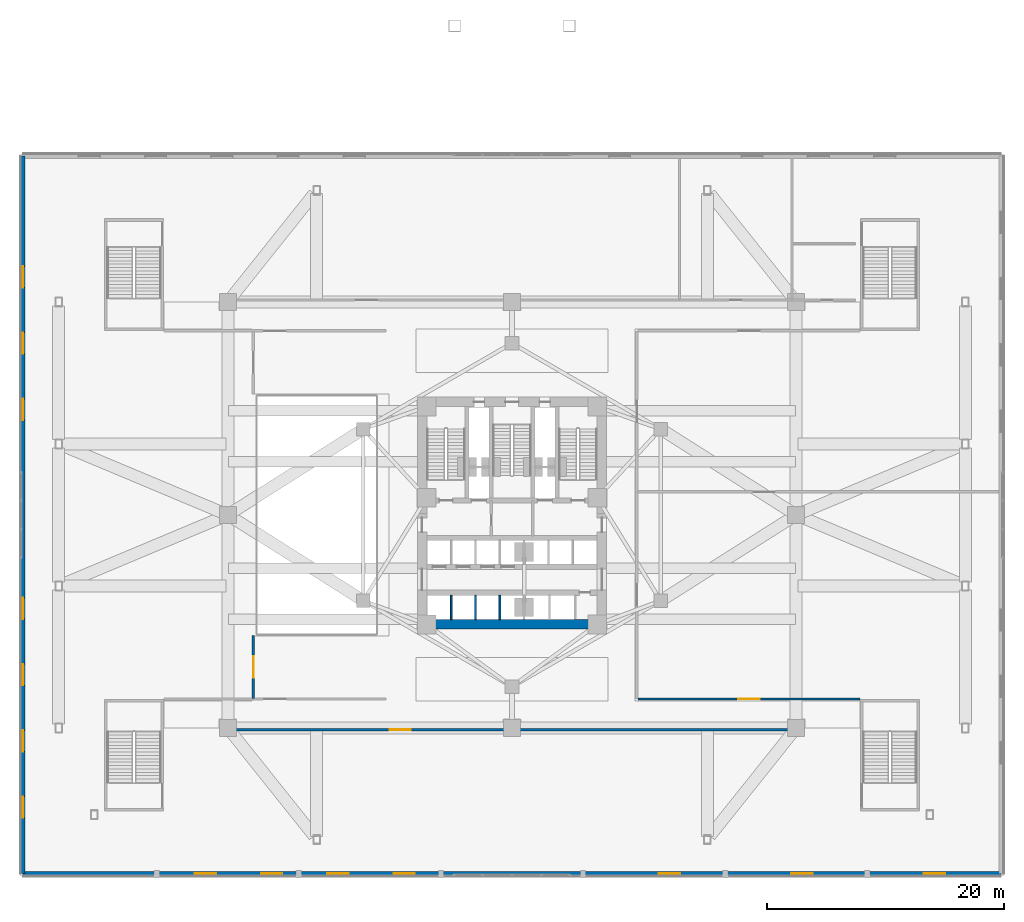
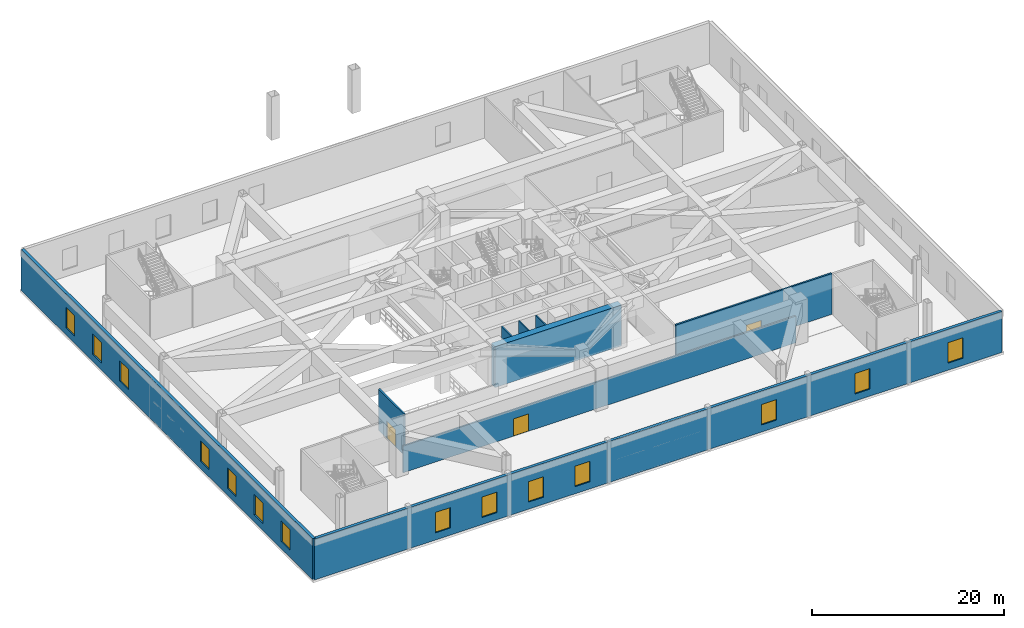
# One storey, part 10 of 23: 14 windows, 9 walls, 3 doors, 17 openings.
"""IFC4 building model written with IfcOpenShell, lengths in metres."""

from ifc_helpers import new_model, si_unit, direction, frame, frame_2d, origin, place, context, subcontext, project, spatial, rectangle, extrude, material, layer, layer_set, type_object, element, fill, save


model = new_model("IFC4")

# Units and contexts
model_context = context("Model", 3, precision=1e-05, world=origin(), true_north=direction((0.0, 1.0)))
body_context = subcontext(model_context, "Body", "Model", "MODEL_VIEW")
ifc_project = project(units=[si_unit("LENGTHUNIT", "METRE"), si_unit("AREAUNIT", "SQUARE_METRE"), si_unit("VOLUMEUNIT", "CUBIC_METRE"), si_unit("PLANEANGLEUNIT", "RADIAN"), si_unit("MASSUNIT", "GRAM", prefix="KILO")], contexts=[model_context])

# Site, building, storey
site_placement = place(None, origin())
site = spatial("IfcSite", under=ifc_project, at=site_placement, CompositionType="ELEMENT")
building_placement = place(site_placement, origin())
building = spatial("IfcBuilding", under=site, at=building_placement, Name="Apsidion Concourse Tower", CompositionType="ELEMENT")
storey_placement = place(building_placement, frame((0.0, 0.0, 6.0)))
storey = spatial("IfcBuildingStorey", under=building, at=storey_placement, Name="L01", CompositionType="ELEMENT", Elevation=6.0)

# Wall, openings, windows
ifc_material_1 = material(Name="Precast concrete C40/50", Category="concrete")
ifc_layer_1 = layer(ifc_material_1, 0.360107421875)
ifc_layer_set_1 = layer_set([ifc_layer_1], Name="Precast concrete C40/50")
wall_type_1 = type_object("IfcWallType", Name="WL-EXT-360", PredefinedType="STANDARD", material=ifc_layer_set_1)
wall_1_placement = place(storey_placement, frame((41.300048828125, -30.300048828125, 0.0), z_axis=(0.0, 0.0, 1.0), x_axis=(-1.0, 0.0, 0.0)))
wall_1 = element("IfcWall", 1, at=wall_1_placement, inside=storey, type_object=wall_type_1, Name="L01 Podium Precast Stone Facade Wall S", PredefinedType="STANDARD", context=body_context, shape_type="SweptSolid", body=[
    extrude(rectangle(XDim=82.60009765625, YDim=0.360107421875, at=frame_2d((41.300048828125, 0.0))), origin(), (0.0, 0.0, 1.0), 5.199951171875),
])
opening_1_placement = place(wall_1_placement, frame((4.699951171875, 0.0, 0.89990234375)))
opening_1 = element("IfcOpeningElement", 2, at=opening_1_placement, cuts=wall_1, Name="Opening WN-01", PredefinedType="OPENING", context=body_context, shape_type="SweptSolid", body=[
    extrude(rectangle(XDim=1.800048828125, YDim=2.60009765625, at=frame_2d((0.89990234375, 1.300048828125))), frame((0.0, 0.18994140625, 0.0), z_axis=(0.0, -1.0, 0.0), x_axis=(1.0, 0.0, 0.0)), (0.0, 0.0, 1.0), 0.380126953125),
])
opening_2_placement = place(wall_1_placement, frame((15.89990234375, 0.0, 0.89990234375)))
opening_2 = element("IfcOpeningElement", 3, at=opening_2_placement, cuts=wall_1, Name="Opening WN-01", PredefinedType="OPENING", context=body_context, shape_type="SweptSolid", body=[
    extrude(rectangle(XDim=1.800048828125, YDim=2.60009765625, at=frame_2d((0.89990234375, 1.300048828125))), frame((0.0, 0.18994140625, 0.0), z_axis=(0.0, -1.0, 0.0), x_axis=(1.0, 0.0, 0.0)), (0.0, 0.0, 1.0), 0.380126953125),
])
opening_3_placement = place(wall_1_placement, frame((27.10009765625, 0.0, 0.89990234375)))
opening_3 = element("IfcOpeningElement", 4, at=opening_3_placement, cuts=wall_1, Name="Opening WN-01", PredefinedType="OPENING", context=body_context, shape_type="SweptSolid", body=[
    extrude(rectangle(XDim=1.800048828125, YDim=2.60009765625, at=frame_2d((0.89990234375, 1.300048828125))), frame((0.0, 0.18994140625, 0.0), z_axis=(0.0, -1.0, 0.0), x_axis=(1.0, 0.0, 0.0)), (0.0, 0.0, 1.0), 0.380126953125),
])
opening_4_placement = place(wall_1_placement, frame((49.5, 0.0, 0.89990234375)))
opening_4 = element("IfcOpeningElement", 5, at=opening_4_placement, cuts=wall_1, Name="Opening WN-01", PredefinedType="OPENING", context=body_context, shape_type="SweptSolid", body=[
    extrude(rectangle(XDim=1.800048828125, YDim=2.60009765625, at=frame_2d((0.89990234375, 1.300048828125))), frame((0.0, 0.18994140625, 0.0), z_axis=(0.0, -1.0, 0.0), x_axis=(1.0, 0.0, 0.0)), (0.0, 0.0, 1.0), 0.380126953125),
])
opening_5_placement = place(wall_1_placement, frame((55.10009765625, 0.0, 0.89990234375)))
opening_5 = element("IfcOpeningElement", 6, at=opening_5_placement, cuts=wall_1, Name="Opening WN-01", PredefinedType="OPENING", context=body_context, shape_type="SweptSolid", body=[
    extrude(rectangle(XDim=1.800048828125, YDim=2.60009765625, at=frame_2d((0.89990234375, 1.300048828125))), frame((0.0, 0.18994140625, 0.0), z_axis=(0.0, -1.0, 0.0), x_axis=(1.0, 0.0, 0.0)), (0.0, 0.0, 1.0), 0.380126953125),
])
opening_6_placement = place(wall_1_placement, frame((60.699951171875, 0.0, 0.89990234375)))
opening_6 = element("IfcOpeningElement", 7, at=opening_6_placement, cuts=wall_1, Name="Opening WN-01", PredefinedType="OPENING", context=body_context, shape_type="SweptSolid", body=[
    extrude(rectangle(XDim=1.800048828125, YDim=2.60009765625, at=frame_2d((0.89990234375, 1.300048828125))), frame((0.0, 0.18994140625, 0.0), z_axis=(0.0, -1.0, 0.0), x_axis=(1.0, 0.0, 0.0)), (0.0, 0.0, 1.0), 0.380126953125),
])
opening_7_placement = place(wall_1_placement, frame((66.300048828125, 0.0, 0.89990234375)))
opening_7 = element("IfcOpeningElement", 8, at=opening_7_placement, cuts=wall_1, Name="Opening WN-01", PredefinedType="OPENING", context=body_context, shape_type="SweptSolid", body=[
    extrude(rectangle(XDim=1.800048828125, YDim=2.60009765625, at=frame_2d((0.89990234375, 1.300048828125))), frame((0.0, 0.18994140625, 0.0), z_axis=(0.0, -1.0, 0.0), x_axis=(1.0, 0.0, 0.0)), (0.0, 0.0, 1.0), 0.380126953125),
])
ifc_material_2 = material(Name="Insulated laminated low-E glass", Category="glass")
window_type = type_object("IfcWindowType", Name="WN-POD-1828", PartitioningType="DOUBLE_PANEL_VERTICAL", PredefinedType="WINDOW", material=ifc_material_2)
window_1_placement = place(opening_1_placement, origin())
window_1 = element("IfcWindow", 9, at=window_1_placement, inside=storey, type_object=window_type, Name="L01 Podium Window S-01", OverallHeight=2.60009765625, OverallWidth=1.800048828125, PartitioningType="DOUBLE_PANEL_VERTICAL", PredefinedType="WINDOW", context=body_context, shape_type="SweptSolid", body=[
    extrude(rectangle(XDim=1.800048828125, YDim=2.60009765625, at=frame_2d((0.89990234375, 1.300048828125))), frame((0.0, 0.030029296875, 0.0), z_axis=(0.0, -1.0, 0.0), x_axis=(1.0, 0.0, 0.0)), (0.0, 0.0, 1.0), 0.06005859375),
])
fill(opening_1, window_1)
window_2_placement = place(opening_2_placement, origin())
window_2 = element("IfcWindow", 10, at=window_2_placement, inside=storey, type_object=window_type, Name="L01 Podium Window S-03", OverallHeight=2.60009765625, OverallWidth=1.800048828125, PartitioningType="DOUBLE_PANEL_VERTICAL", PredefinedType="WINDOW", context=body_context, shape_type="SweptSolid", body=[
    extrude(rectangle(XDim=1.800048828125, YDim=2.60009765625, at=frame_2d((0.89990234375, 1.300048828125))), frame((0.0, 0.030029296875, 0.0), z_axis=(0.0, -1.0, 0.0), x_axis=(1.0, 0.0, 0.0)), (0.0, 0.0, 1.0), 0.06005859375),
])
fill(opening_2, window_2)
window_3_placement = place(opening_3_placement, origin())
window_3 = element("IfcWindow", 11, at=window_3_placement, inside=storey, type_object=window_type, Name="L01 Podium Window S-05", OverallHeight=2.60009765625, OverallWidth=1.800048828125, PartitioningType="DOUBLE_PANEL_VERTICAL", PredefinedType="WINDOW", context=body_context, shape_type="SweptSolid", body=[
    extrude(rectangle(XDim=1.800048828125, YDim=2.60009765625, at=frame_2d((0.89990234375, 1.300048828125))), frame((0.0, 0.030029296875, 0.0), z_axis=(0.0, -1.0, 0.0), x_axis=(1.0, 0.0, 0.0)), (0.0, 0.0, 1.0), 0.06005859375),
])
fill(opening_3, window_3)
window_4_placement = place(opening_4_placement, origin())
window_4 = element("IfcWindow", 12, at=window_4_placement, inside=storey, type_object=window_type, Name="L01 Podium Window S-09", OverallHeight=2.60009765625, OverallWidth=1.800048828125, PartitioningType="DOUBLE_PANEL_VERTICAL", PredefinedType="WINDOW", context=body_context, shape_type="SweptSolid", body=[
    extrude(rectangle(XDim=1.800048828125, YDim=2.60009765625, at=frame_2d((0.89990234375, 1.300048828125))), frame((0.0, 0.030029296875, 0.0), z_axis=(0.0, -1.0, 0.0), x_axis=(1.0, 0.0, 0.0)), (0.0, 0.0, 1.0), 0.06005859375),
])
fill(opening_4, window_4)
window_5_placement = place(opening_5_placement, origin())
window_5 = element("IfcWindow", 13, at=window_5_placement, inside=storey, type_object=window_type, Name="L01 Podium Window S-10", OverallHeight=2.60009765625, OverallWidth=1.800048828125, PartitioningType="DOUBLE_PANEL_VERTICAL", PredefinedType="WINDOW", context=body_context, shape_type="SweptSolid", body=[
    extrude(rectangle(XDim=1.800048828125, YDim=2.60009765625, at=frame_2d((0.89990234375, 1.300048828125))), frame((0.0, 0.030029296875, 0.0), z_axis=(0.0, -1.0, 0.0), x_axis=(1.0, 0.0, 0.0)), (0.0, 0.0, 1.0), 0.06005859375),
])
fill(opening_5, window_5)
window_6_placement = place(opening_6_placement, origin())
window_6 = element("IfcWindow", 14, at=window_6_placement, inside=storey, type_object=window_type, Name="L01 Podium Window S-11", OverallHeight=2.60009765625, OverallWidth=1.800048828125, PartitioningType="DOUBLE_PANEL_VERTICAL", PredefinedType="WINDOW", context=body_context, shape_type="SweptSolid", body=[
    extrude(rectangle(XDim=1.800048828125, YDim=2.60009765625, at=frame_2d((0.89990234375, 1.300048828125))), frame((0.0, 0.030029296875, 0.0), z_axis=(0.0, -1.0, 0.0), x_axis=(1.0, 0.0, 0.0)), (0.0, 0.0, 1.0), 0.06005859375),
])
fill(opening_6, window_6)
window_7_placement = place(opening_7_placement, origin())
window_7 = element("IfcWindow", 15, at=window_7_placement, inside=storey, type_object=window_type, Name="L01 Podium Window S-12", OverallHeight=2.60009765625, OverallWidth=1.800048828125, PartitioningType="DOUBLE_PANEL_VERTICAL", PredefinedType="WINDOW", context=body_context, shape_type="SweptSolid", body=[
    extrude(rectangle(XDim=1.800048828125, YDim=2.60009765625, at=frame_2d((0.89990234375, 1.300048828125))), frame((0.0, 0.030029296875, 0.0), z_axis=(0.0, -1.0, 0.0), x_axis=(1.0, 0.0, 0.0)), (0.0, 0.0, 1.0), 0.06005859375),
])
fill(opening_7, window_7)

wall_2_placement = place(storey_placement, frame((-41.300048828125, -30.300048828125, 0.0), z_axis=(0.0, 0.0, 1.0), x_axis=(0.0, 1.0, 0.0)))
wall_2 = element("IfcWall", 16, at=wall_2_placement, inside=storey, type_object=wall_type_1, Name="L01 Podium Precast Stone Facade Wall W", PredefinedType="STANDARD", context=body_context, shape_type="SweptSolid", body=[
    extrude(rectangle(XDim=60.60009765625, YDim=0.360107421875, at=frame_2d((30.300048828125, 0.0))), origin(), (0.0, 0.0, 1.0), 5.199951171875),
])
opening_8_placement = place(wall_2_placement, frame((4.699951171875, 0.0, 0.89990234375)))
opening_8 = element("IfcOpeningElement", 17, at=opening_8_placement, cuts=wall_2, Name="Opening WN-01", PredefinedType="OPENING", context=body_context, shape_type="SweptSolid", body=[
    extrude(rectangle(XDim=1.800048828125, YDim=2.60009765625, at=frame_2d((0.89990234375, 1.300048828125))), frame((0.0, 0.18994140625, 0.0), z_axis=(0.0, -1.0, 0.0), x_axis=(1.0, 0.0, 0.0)), (0.0, 0.0, 1.0), 0.380126953125),
])
opening_9_placement = place(wall_2_placement, frame((10.300048828125, 0.0, 0.89990234375)))
opening_9 = element("IfcOpeningElement", 18, at=opening_9_placement, cuts=wall_2, Name="Opening WN-01", PredefinedType="OPENING", context=body_context, shape_type="SweptSolid", body=[
    extrude(rectangle(XDim=1.800048828125, YDim=2.60009765625, at=frame_2d((0.89990234375, 1.300048828125))), frame((0.0, 0.18994140625, 0.0), z_axis=(0.0, -1.0, 0.0), x_axis=(1.0, 0.0, 0.0)), (0.0, 0.0, 1.0), 0.380126953125),
])
opening_10_placement = place(wall_2_placement, frame((15.89990234375, 0.0, 0.89990234375)))
opening_10 = element("IfcOpeningElement", 19, at=opening_10_placement, cuts=wall_2, Name="Opening WN-01", PredefinedType="OPENING", context=body_context, shape_type="SweptSolid", body=[
    extrude(rectangle(XDim=1.800048828125, YDim=2.60009765625, at=frame_2d((0.89990234375, 1.300048828125))), frame((0.0, 0.18994140625, 0.0), z_axis=(0.0, -1.0, 0.0), x_axis=(1.0, 0.0, 0.0)), (0.0, 0.0, 1.0), 0.380126953125),
])
opening_11_placement = place(wall_2_placement, frame((21.5, 0.0, 0.89990234375)))
opening_11 = element("IfcOpeningElement", 20, at=opening_11_placement, cuts=wall_2, Name="Opening WN-01", PredefinedType="OPENING", context=body_context, shape_type="SweptSolid", body=[
    extrude(rectangle(XDim=1.800048828125, YDim=2.60009765625, at=frame_2d((0.89990234375, 1.300048828125))), frame((0.0, 0.18994140625, 0.0), z_axis=(0.0, -1.0, 0.0), x_axis=(1.0, 0.0, 0.0)), (0.0, 0.0, 1.0), 0.380126953125),
])
opening_12_placement = place(wall_2_placement, frame((38.300048828125, 0.0, 0.89990234375)))
opening_12 = element("IfcOpeningElement", 21, at=opening_12_placement, cuts=wall_2, Name="Opening WN-01", PredefinedType="OPENING", context=body_context, shape_type="SweptSolid", body=[
    extrude(rectangle(XDim=1.800048828125, YDim=2.60009765625, at=frame_2d((0.89990234375, 1.300048828125))), frame((0.0, 0.18994140625, 0.0), z_axis=(0.0, -1.0, 0.0), x_axis=(1.0, 0.0, 0.0)), (0.0, 0.0, 1.0), 0.380126953125),
])
opening_13_placement = place(wall_2_placement, frame((43.89990234375, 0.0, 0.89990234375)))
opening_13 = element("IfcOpeningElement", 22, at=opening_13_placement, cuts=wall_2, Name="Opening WN-01", PredefinedType="OPENING", context=body_context, shape_type="SweptSolid", body=[
    extrude(rectangle(XDim=1.800048828125, YDim=2.60009765625, at=frame_2d((0.89990234375, 1.300048828125))), frame((0.0, 0.18994140625, 0.0), z_axis=(0.0, -1.0, 0.0), x_axis=(1.0, 0.0, 0.0)), (0.0, 0.0, 1.0), 0.380126953125),
])
opening_14_placement = place(wall_2_placement, frame((49.5, 0.0, 0.89990234375)))
opening_14 = element("IfcOpeningElement", 23, at=opening_14_placement, cuts=wall_2, Name="Opening WN-01", PredefinedType="OPENING", context=body_context, shape_type="SweptSolid", body=[
    extrude(rectangle(XDim=1.800048828125, YDim=2.60009765625, at=frame_2d((0.89990234375, 1.300048828125))), frame((0.0, 0.18994140625, 0.0), z_axis=(0.0, -1.0, 0.0), x_axis=(1.0, 0.0, 0.0)), (0.0, 0.0, 1.0), 0.380126953125),
])
window_8_placement = place(opening_8_placement, origin())
window_8 = element("IfcWindow", 24, at=window_8_placement, inside=storey, type_object=window_type, Name="L01 Podium Window W-01", OverallHeight=2.60009765625, OverallWidth=1.800048828125, PartitioningType="DOUBLE_PANEL_VERTICAL", PredefinedType="WINDOW", context=body_context, shape_type="SweptSolid", body=[
    extrude(rectangle(XDim=1.800048828125, YDim=2.60009765625, at=frame_2d((0.89990234375, 1.300048828125))), frame((0.0, 0.030029296875, 0.0), z_axis=(0.0, -1.0, 0.0), x_axis=(1.0, 0.0, 0.0)), (0.0, 0.0, 1.0), 0.06005859375),
])
fill(opening_8, window_8)
window_9_placement = place(opening_9_placement, origin())
window_9 = element("IfcWindow", 25, at=window_9_placement, inside=storey, type_object=window_type, Name="L01 Podium Window W-02", OverallHeight=2.60009765625, OverallWidth=1.800048828125, PartitioningType="DOUBLE_PANEL_VERTICAL", PredefinedType="WINDOW", context=body_context, shape_type="SweptSolid", body=[
    extrude(rectangle(XDim=1.800048828125, YDim=2.60009765625, at=frame_2d((0.89990234375, 1.300048828125))), frame((0.0, 0.030029296875, 0.0), z_axis=(0.0, -1.0, 0.0), x_axis=(1.0, 0.0, 0.0)), (0.0, 0.0, 1.0), 0.06005859375),
])
fill(opening_9, window_9)
window_10_placement = place(opening_10_placement, origin())
window_10 = element("IfcWindow", 26, at=window_10_placement, inside=storey, type_object=window_type, Name="L01 Podium Window W-03", OverallHeight=2.60009765625, OverallWidth=1.800048828125, PartitioningType="DOUBLE_PANEL_VERTICAL", PredefinedType="WINDOW", context=body_context, shape_type="SweptSolid", body=[
    extrude(rectangle(XDim=1.800048828125, YDim=2.60009765625, at=frame_2d((0.89990234375, 1.300048828125))), frame((0.0, 0.030029296875, 0.0), z_axis=(0.0, -1.0, 0.0), x_axis=(1.0, 0.0, 0.0)), (0.0, 0.0, 1.0), 0.06005859375),
])
fill(opening_10, window_10)
window_11_placement = place(opening_11_placement, origin())
window_11 = element("IfcWindow", 27, at=window_11_placement, inside=storey, type_object=window_type, Name="L01 Podium Window W-04", OverallHeight=2.60009765625, OverallWidth=1.800048828125, PartitioningType="DOUBLE_PANEL_VERTICAL", PredefinedType="WINDOW", context=body_context, shape_type="SweptSolid", body=[
    extrude(rectangle(XDim=1.800048828125, YDim=2.60009765625, at=frame_2d((0.89990234375, 1.300048828125))), frame((0.0, 0.030029296875, 0.0), z_axis=(0.0, -1.0, 0.0), x_axis=(1.0, 0.0, 0.0)), (0.0, 0.0, 1.0), 0.06005859375),
])
fill(opening_11, window_11)
window_12_placement = place(opening_12_placement, origin())
window_12 = element("IfcWindow", 28, at=window_12_placement, inside=storey, type_object=window_type, Name="L01 Podium Window W-07", OverallHeight=2.60009765625, OverallWidth=1.800048828125, PartitioningType="DOUBLE_PANEL_VERTICAL", PredefinedType="WINDOW", context=body_context, shape_type="SweptSolid", body=[
    extrude(rectangle(XDim=1.800048828125, YDim=2.60009765625, at=frame_2d((0.89990234375, 1.300048828125))), frame((0.0, 0.030029296875, 0.0), z_axis=(0.0, -1.0, 0.0), x_axis=(1.0, 0.0, 0.0)), (0.0, 0.0, 1.0), 0.06005859375),
])
fill(opening_12, window_12)
window_13_placement = place(opening_13_placement, origin())
window_13 = element("IfcWindow", 29, at=window_13_placement, inside=storey, type_object=window_type, Name="L01 Podium Window W-08", OverallHeight=2.60009765625, OverallWidth=1.800048828125, PartitioningType="DOUBLE_PANEL_VERTICAL", PredefinedType="WINDOW", context=body_context, shape_type="SweptSolid", body=[
    extrude(rectangle(XDim=1.800048828125, YDim=2.60009765625, at=frame_2d((0.89990234375, 1.300048828125))), frame((0.0, 0.030029296875, 0.0), z_axis=(0.0, -1.0, 0.0), x_axis=(1.0, 0.0, 0.0)), (0.0, 0.0, 1.0), 0.06005859375),
])
fill(opening_13, window_13)
window_14_placement = place(opening_14_placement, origin())
window_14 = element("IfcWindow", 30, at=window_14_placement, inside=storey, type_object=window_type, Name="L01 Podium Window W-09", OverallHeight=2.60009765625, OverallWidth=1.800048828125, PartitioningType="DOUBLE_PANEL_VERTICAL", PredefinedType="WINDOW", context=body_context, shape_type="SweptSolid", body=[
    extrude(rectangle(XDim=1.800048828125, YDim=2.60009765625, at=frame_2d((0.89990234375, 1.300048828125))), frame((0.0, 0.030029296875, 0.0), z_axis=(0.0, -1.0, 0.0), x_axis=(1.0, 0.0, 0.0)), (0.0, 0.0, 1.0), 0.06005859375),
])
fill(opening_14, window_14)

# Walls
ifc_material_3 = material(Name="Gypsum plasterboard partition")
ifc_layer_2 = layer(ifc_material_3, 0.14990234375)
ifc_layer_set_2 = layer_set([ifc_layer_2], Name="Gypsum plasterboard partition")
wall_type_2 = type_object("IfcWallType", Name="WL-INT-PAR-150", PredefinedType="PARTITIONING", material=ifc_layer_set_2)
for number, where, z_axis, x_axis, name in (
    (31, (-5.125, -8.85009765625, 0.0), (0.0, 0.0, 1.0), (0.0, 1.0, 0.0), "L01 Interior Partition WL-L01-B2DIV-1"),
    (32, (-3.074951171875, -8.85009765625, 0.0), (0.0, 0.0, 1.0), (0.0, 1.0, 0.0), "L01 Interior Partition WL-L01-B2DIV-2"),
    (33, (-1.02490234375, -8.85009765625, 0.0), (0.0, 0.0, 1.0), (0.0, 1.0, 0.0), "L01 Interior Partition WL-L01-B2DIV-3"),
):
    element("IfcWall", number, at=place(storey_placement, frame(where, z_axis=z_axis, x_axis=x_axis)), inside=storey, type_object=wall_type_2, Name=name, PredefinedType="PARTITIONING", context=body_context, shape_type="SweptSolid", body=[
        extrude(rectangle(XDim=2.080078125, YDim=0.14990234375, at=frame_2d((1.0400390625, 0.0))), origin(), (0.0, 0.0, 1.0), 5.199951171875),
    ])

# Wall, opening, door
ifc_layer_3 = layer(ifc_material_3, 0.179931640625)
ifc_layer_set_3 = layer_set([ifc_layer_3], Name="Gypsum plasterboard partition")
wall_type_3 = type_object("IfcWallType", Name="WL-INT-PAR-180", PredefinedType="PARTITIONING", material=ifc_layer_set_3)
wall_3_placement = place(storey_placement, frame((-23.60009765625, -18.14990234375, 0.0), z_axis=(0.0, 0.0, 1.0), x_axis=(1.0, 0.0, 0.0)))
wall_3 = element("IfcWall", 34, at=wall_3_placement, inside=storey, type_object=wall_type_3, Name="L01 Interior Partition WL-L01-SW", PredefinedType="PARTITIONING", context=body_context, shape_type="SweptSolid", body=[
    extrude(rectangle(XDim=47.2001953125, YDim=0.179931640625, at=frame_2d((23.60009765625, 0.0))), origin(), (0.0, 0.0, 1.0), 3.3798828125),
])
opening_15_placement = place(wall_3_placement, frame((13.260009765625, 0.0, 0.0)))
opening_15 = element("IfcOpeningElement", 35, at=opening_15_placement, cuts=wall_3, Name="Opening D-06D", PredefinedType="OPENING", context=body_context, shape_type="SweptSolid", body=[
    extrude(rectangle(XDim=1.800048828125, YDim=2.199951171875, at=frame_2d((0.89990234375, 1.10009765625))), frame((0.0, 0.10009765625, 0.0), z_axis=(0.0, -1.0, 0.0), x_axis=(1.0, 0.0, 0.0)), (0.0, 0.0, 1.0), 0.199951171875),
])
ifc_material_4 = material(Name="Brushed stainless steel 316", Category="steel")
door_type = type_object("IfcDoorType", Name="DR-INT-D06D", OperationType="DOUBLE_DOOR_SINGLE_SWING", PredefinedType="DOOR", material=ifc_material_4)
door_1_placement = place(opening_15_placement, origin())
door_1 = element("IfcDoor", 36, at=door_1_placement, inside=storey, type_object=door_type, Name="L01 Convention Door WL-L01-SW", OperationType="DOUBLE_DOOR_SINGLE_SWING", OverallHeight=2.199951171875, OverallWidth=1.800048828125, PredefinedType="DOOR", context=body_context, shape_type="SweptSolid", body=[
    extrude(rectangle(XDim=1.800048828125, YDim=2.199951171875, at=frame_2d((0.89990234375, 1.10009765625))), frame((0.0, 0.02490234375, 0.0), z_axis=(0.0, -1.0, 0.0), x_axis=(1.0, 0.0, 0.0)), (0.0, 0.0, 1.0), 0.050048828125),
])
fill(opening_15, door_1)

ifc_layer_4 = layer(ifc_material_3, 0.199951171875)
ifc_layer_set_4 = layer_set([ifc_layer_4], Name="Gypsum plasterboard partition")
wall_type_4 = type_object("IfcWallType", Name="WL-INT-PAR-200", PredefinedType="PARTITIONING", material=ifc_layer_set_4)
wall_4_placement = place(storey_placement, frame((-21.85009765625, -15.5, 0.0), z_axis=(0.0, 0.0, 1.0), x_axis=(0.0, 1.0, 0.0)))
wall_4 = element("IfcWall", 37, at=wall_4_placement, inside=storey, type_object=wall_type_4, Name="L01 Interior Partition WL-L01-W1", PredefinedType="PARTITIONING", context=body_context, shape_type="SweptSolid", body=[
    extrude(rectangle(XDim=5.300048828125, YDim=0.199951171875, at=frame_2d((2.64990234375, 0.0))), origin(), (0.0, 0.0, 1.0), 5.199951171875),
])
opening_16_placement = place(wall_4_placement, frame((1.75, 0.0, 0.0)))
opening_16 = element("IfcOpeningElement", 38, at=opening_16_placement, cuts=wall_4, Name="Opening D-06D", PredefinedType="OPENING", context=body_context, shape_type="SweptSolid", body=[
    extrude(rectangle(XDim=1.800048828125, YDim=2.199951171875, at=frame_2d((0.89990234375, 1.10009765625))), frame((0.0, 0.10986328125, 0.0), z_axis=(0.0, -1.0, 0.0), x_axis=(1.0, 0.0, 0.0)), (0.0, 0.0, 1.0), 0.219970703125),
])
door_2_placement = place(opening_16_placement, origin())
door_2 = element("IfcDoor", 39, at=door_2_placement, inside=storey, type_object=door_type, Name="L01 Convention Door WL-L01-W1", OperationType="DOUBLE_DOOR_SINGLE_SWING", OverallHeight=2.199951171875, OverallWidth=1.800048828125, PredefinedType="DOOR", context=body_context, shape_type="SweptSolid", body=[
    extrude(rectangle(XDim=1.800048828125, YDim=2.199951171875, at=frame_2d((0.89990234375, 1.10009765625))), frame((0.0, 0.02490234375, 0.0), z_axis=(0.0, -1.0, 0.0), x_axis=(1.0, 0.0, 0.0)), (0.0, 0.0, 1.0), 0.050048828125),
])
fill(opening_16, door_2)

wall_5_placement = place(storey_placement, frame((10.64990234375, -15.550048828125, 0.0), z_axis=(0.0, 0.0, 1.0), x_axis=(1.0, 0.0, 0.0)))
wall_5 = element("IfcWall", 40, at=wall_5_placement, inside=storey, type_object=wall_type_4, Name="L01 Interior Partition WL-L01-S2", PredefinedType="PARTITIONING", context=body_context, shape_type="SweptSolid", body=[
    extrude(rectangle(XDim=18.75, YDim=0.199951171875, at=frame_2d((9.375, 0.0))), origin(), (0.0, 0.0, 1.0), 5.199951171875),
])
opening_17_placement = place(wall_5_placement, frame((8.47509765625, 0.0, 0.0)))
opening_17 = element("IfcOpeningElement", 41, at=opening_17_placement, cuts=wall_5, Name="Opening D-06D", PredefinedType="OPENING", context=body_context, shape_type="SweptSolid", body=[
    extrude(rectangle(XDim=1.800048828125, YDim=2.199951171875, at=frame_2d((0.89990234375, 1.10009765625))), frame((0.0, 0.10986328125, 0.0), z_axis=(0.0, -1.0, 0.0), x_axis=(1.0, 0.0, 0.0)), (0.0, 0.0, 1.0), 0.219970703125),
])
door_3_placement = place(opening_17_placement, origin())
door_3 = element("IfcDoor", 42, at=door_3_placement, inside=storey, type_object=door_type, Name="L01 Convention Door WL-L01-S2", OperationType="DOUBLE_DOOR_SINGLE_SWING", OverallHeight=2.199951171875, OverallWidth=1.800048828125, PredefinedType="DOOR", context=body_context, shape_type="SweptSolid", body=[
    extrude(rectangle(XDim=1.800048828125, YDim=2.199951171875, at=frame_2d((0.89990234375, 1.10009765625))), frame((0.0, 0.02490234375, 0.0), z_axis=(0.0, -1.0, 0.0), x_axis=(1.0, 0.0, 0.0)), (0.0, 0.0, 1.0), 0.050048828125),
])
fill(opening_17, door_3)

# Wall
ifc_material_5 = material(Name="Concrete C60/75", Category="concrete")
ifc_layer_5 = layer(ifc_material_5, 0.800048828125)
ifc_layer_set_5 = layer_set([ifc_layer_5], Name="Concrete C60/75")
wall_type_5 = type_object("IfcWallType", Name="WL-SH-800", PredefinedType="SHEAR", material=ifc_layer_set_5)
wall_6_placement = place(storey_placement, frame((-7.60009765625, -9.25, 0.0), z_axis=(0.0, 0.0, 1.0), x_axis=(1.0, 0.0, 0.0)))
element("IfcWall", 43, at=wall_6_placement, inside=storey, type_object=wall_type_5, Name="L01 Central Core Shear Wall S", PredefinedType="SHEAR", context=body_context, shape_type="SweptSolid", body=[
    extrude(rectangle(XDim=15.2001953125, YDim=0.800048828125, at=frame_2d((7.60009765625, 0.0))), origin(), (0.0, 0.0, 1.0), 5.199951171875),
])

save(model, "model.ifc")
